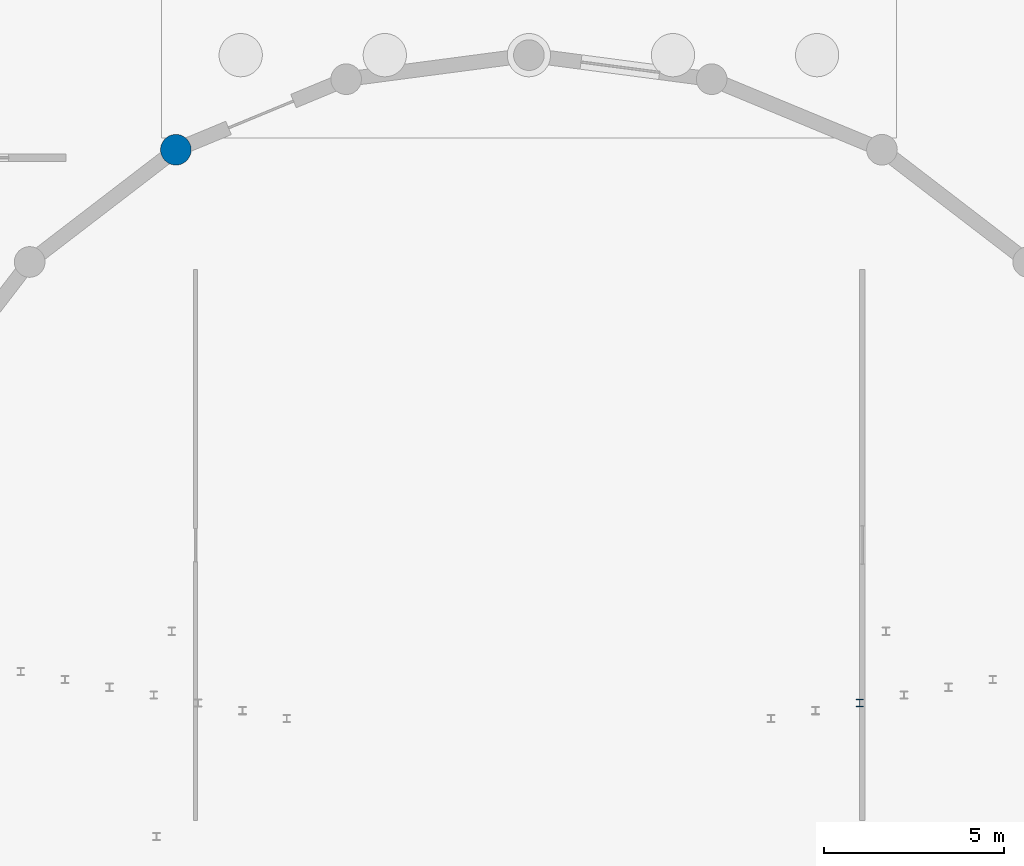
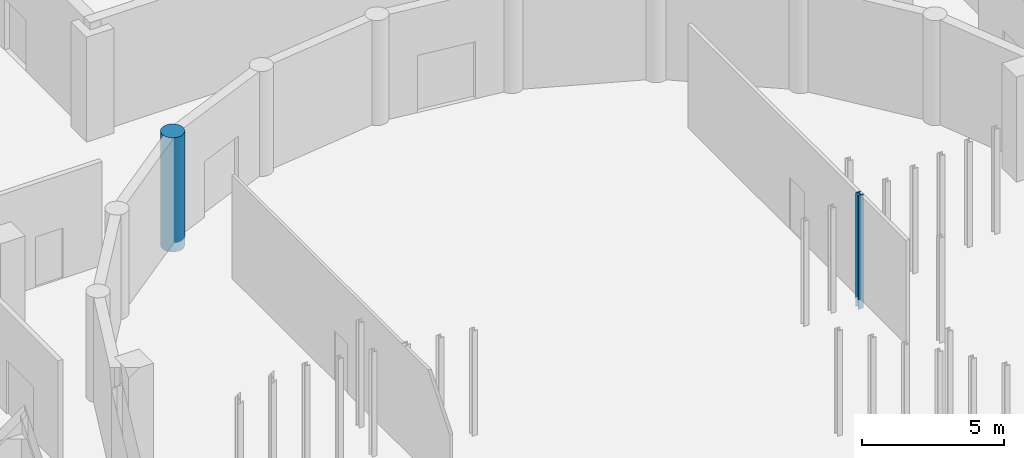
# One storey, part 23 of 40: 2 columns.
"""IFC4 building model written with IfcOpenShell, lengths in metres."""

from ifc_helpers import new_model, si_unit, direction, frame, origin, origin_2d, place, context, subcontext, project, spatial, circle, i_section, extrude, material, material_profile, profile_set, type_object, element, save


model = new_model("IFC4")

# Units and contexts
model_context = context("Model", 3, precision=1e-05, world=origin(), true_north=direction((0.0, 1.0)))
body_context = subcontext(model_context, "Body", "Model", "MODEL_VIEW")
ifc_project = project(units=[si_unit("LENGTHUNIT", "METRE"), si_unit("AREAUNIT", "SQUARE_METRE"), si_unit("VOLUMEUNIT", "CUBIC_METRE"), si_unit("PLANEANGLEUNIT", "RADIAN"), si_unit("MASSUNIT", "GRAM", prefix="KILO")], contexts=[model_context])

# Site, building, storey
site_placement = place(None, origin())
site = spatial("IfcSite", under=ifc_project, at=site_placement, CompositionType="ELEMENT")
building_placement = place(site_placement, origin())
building = spatial("IfcBuilding", under=site, at=building_placement, Name="Marnock Terrace Opera House", CompositionType="ELEMENT")
storey_placement = place(building_placement, frame((0.0, 0.0, -4.800048828125)))
storey = spatial("IfcBuildingStorey", under=building, at=storey_placement, Name="B1", CompositionType="ELEMENT", Elevation=-4.800048828125)

# Columns
ifc_material_1 = material(Name="Concrete N50 (f'c = 50 MPa)", Category="concrete")
ifc_material_profile_1 = material_profile(ifc_material_1, circle(Radius=0.425048828125, at=origin_2d()))
ifc_profile_set_1 = profile_set([ifc_material_profile_1], Name="Concrete N50 (f'c = 50 MPa)")
column_type_1 = type_object("IfcColumnType", Name="COL-DRUM-850", PredefinedType="COLUMN", material=ifc_profile_set_1)
column_1_placement = place(storey_placement, frame((72.199951171875, 77.47412109375, -0.39990234375), z_axis=(0.0, 0.0, 1.0), x_axis=(1.0, 0.0, 0.0)))
element("IfcColumn", 1, at=column_1_placement, inside=storey, type_object=column_type_1, Name="B1 auditorium drum pier 9", PredefinedType="COLUMN", context=body_context, shape_type="SweptSolid", body=[
    extrude(circle(Radius=0.425048828125, at=origin_2d()), origin(), (0.0, 0.0, 1.0), 4.89990234375),
])
ifc_material_2 = material(Name="Steel Grade 350 (AS/NZS 3679.1)", Category="steel")
ifc_material_profile_2 = material_profile(ifc_material_2, i_section(OverallWidth=0.205078125, OverallDepth=0.209716796875, WebThickness=0.00927734375, FlangeThickness=0.01416015625, FilletRadius=0.011474609375, at=origin_2d()))
ifc_profile_set_2 = profile_set([ifc_material_profile_2], Name="Steel Grade 350 (AS/NZS 3679.1)")
column_type_2 = type_object("IfcColumnType", Name="COL-UC200", PredefinedType="COLUMN", material=ifc_profile_set_2)
column_2_placement = place(storey_placement, frame((91.183349609375, 62.119384765625, -0.39990234375), z_axis=(0.0, 0.0, 1.0), x_axis=(1.0, 0.0, 0.0)))
element("IfcColumn", 2, at=column_2_placement, inside=storey, type_object=column_type_2, Name="B1 Stalls tier 3 understage support stanchion 22", PredefinedType="COLUMN", context=body_context, shape_type="SweptSolid", body=[
    extrude(i_section(OverallWidth=0.205078125, OverallDepth=0.209716796875, WebThickness=0.00927734375, FlangeThickness=0.01416015625, FilletRadius=0.011474609375, at=origin_2d()), origin(), (0.0, 0.0, 1.0), 4.89990234375),
])

save(model, "model.ifc")
